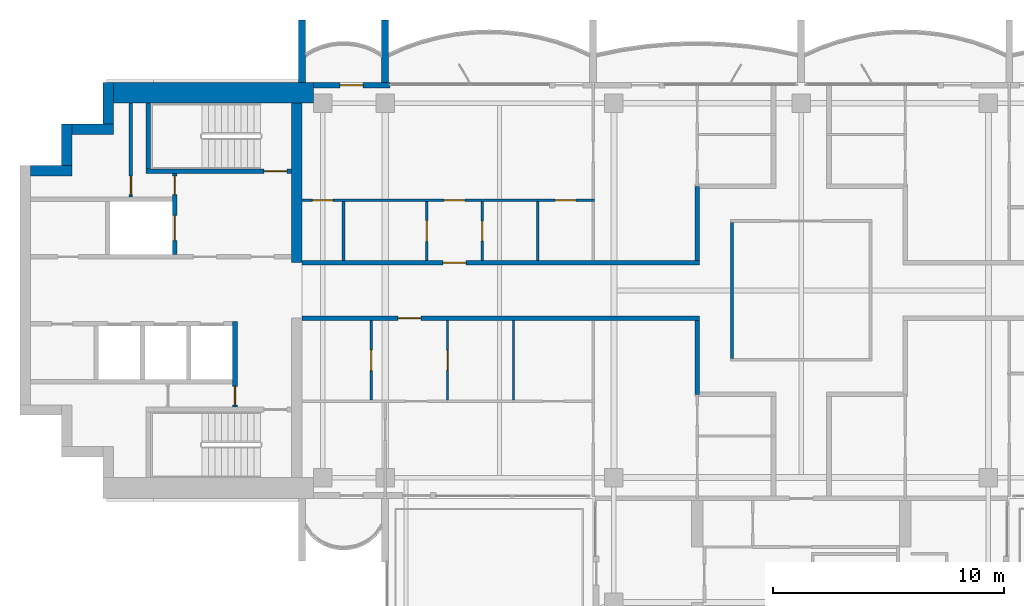
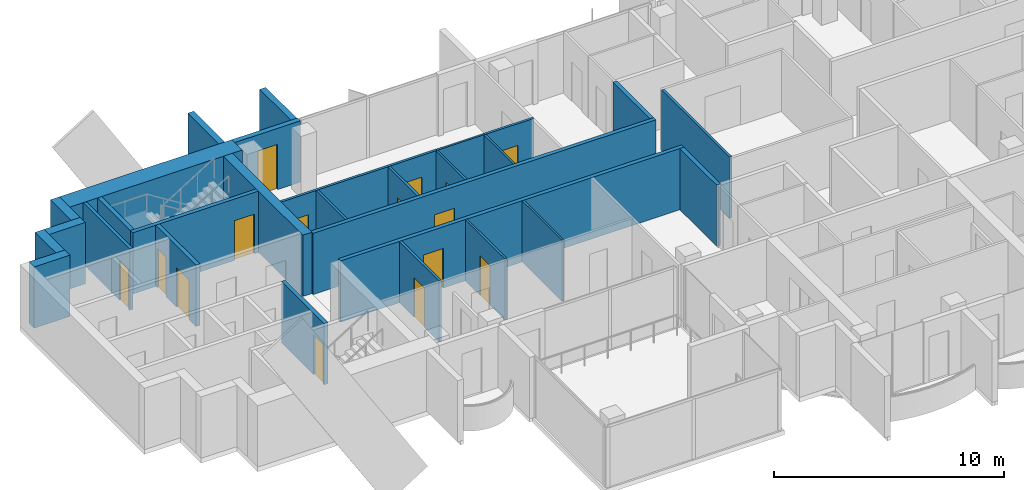
# One storey, part 8 of 16: 29 walls, 15 doors, 15 openings.
"""IFC4 building model written with IfcOpenShell, lengths in metres."""

from ifc_helpers import new_model, si_unit, direction, frame, frame_2d, origin, place, context, subcontext, project, spatial, rectangle, extrude, material, layer, layer_set, type_object, element, fill, save


model = new_model("IFC4")

# Units and contexts
model_context = context("Model", 3, precision=1e-05, world=origin(), true_north=direction((0.0, 1.0)))
body_context = subcontext(model_context, "Body", "Model", "MODEL_VIEW")
ifc_project = project(units=[si_unit("LENGTHUNIT", "METRE"), si_unit("AREAUNIT", "SQUARE_METRE"), si_unit("VOLUMEUNIT", "CUBIC_METRE"), si_unit("PLANEANGLEUNIT", "RADIAN"), si_unit("MASSUNIT", "GRAM", prefix="KILO")], contexts=[model_context])

# Site, building, storey
site_placement = place(None, origin())
site = spatial("IfcSite", under=ifc_project, at=site_placement, CompositionType="ELEMENT")
building_placement = place(site_placement, origin())
building = spatial("IfcBuilding", under=site, at=building_placement, Name="Perihelion Cross Residences", CompositionType="ELEMENT")
storey_placement = place(building_placement, frame((0.0, 0.0, 260.5)))
storey = spatial("IfcBuildingStorey", under=building, at=storey_placement, Name="L66", CompositionType="ELEMENT", Elevation=260.5)

# Wall, opening, door
ifc_material_1 = material(Name="Plasterboard partition")
ifc_layer_1 = layer(ifc_material_1, 0.199951171875)
ifc_layer_set_1 = layer_set([ifc_layer_1], Name="Apartment separation wall 200")
wall_type_1 = type_object("IfcWallType", Name="Apartment separation wall 200", PredefinedType="PARTITIONING", material=ifc_layer_set_1)
wall_1_placement = place(storey_placement, frame((-21.60009765625, 1.199951171875, 0.0), z_axis=(0.0, 0.0, 1.0), x_axis=(1.0, 0.0, 0.0)))
wall_1 = element("IfcWall", 1, at=wall_1_placement, inside=storey, type_object=wall_type_1, Name="Partition L66 W013", PredefinedType="PARTITIONING", context=body_context, shape_type="SweptSolid", body=[
    extrude(rectangle(XDim=17.2001953125, YDim=0.199951171875, at=frame_2d((8.60009765625, 0.0))), origin(), (0.0, 0.0, 1.0), 3.25),
])
opening_1_placement = place(wall_1_placement, frame((6.10009765625, 0.0, 0.0)))
opening_1 = element("IfcOpeningElement", 2, at=opening_1_placement, cuts=wall_1, Name="Opening L66.A42", PredefinedType="OPENING", context=body_context, shape_type="SweptSolid", body=[
    extrude(rectangle(XDim=1.0, YDim=2.10009765625, at=frame_2d((0.5, 1.050048828125))), frame((0.0, 0.10986328125, 0.0), z_axis=(0.0, -1.0, 0.0), x_axis=(1.0, 0.0, 0.0)), (0.0, 0.0, 1.0), 0.219970703125),
])
ifc_material_2 = material(Name="Timber door leaf", Category="wood")
door_type_1 = type_object("IfcDoorType", Name="Flat entrance door 1000 x 2100", OperationType="SINGLE_SWING_LEFT", PredefinedType="DOOR", material=ifc_material_2)
door_1_placement = place(opening_1_placement, origin())
door_1 = element("IfcDoor", 3, at=door_1_placement, inside=storey, type_object=door_type_1, Name="Door L66.A42", OperationType="SINGLE_SWING_RIGHT", OverallHeight=2.10009765625, OverallWidth=1.0, PredefinedType="DOOR", context=body_context, shape_type="SweptSolid", body=[
    extrude(rectangle(XDim=1.0, YDim=2.10009765625, at=frame_2d((0.5, 1.050048828125))), frame((0.0, 0.02490234375, 0.0), z_axis=(0.0, -1.0, 0.0), x_axis=(1.0, 0.0, 0.0)), (0.0, 0.0, 1.0), 0.050048828125),
])
fill(opening_1, door_1)

# Wall
wall_2_placement = place(storey_placement, frame((-4.5, 1.300048828125, 0.0), z_axis=(0.0, 0.0, 1.0), x_axis=(0.0, 1.0, 0.0)))
element("IfcWall", 4, at=wall_2_placement, inside=storey, type_object=wall_type_1, Name="Partition L66 W014", PredefinedType="PARTITIONING", context=body_context, shape_type="SweptSolid", body=[
    extrude(rectangle(XDim=3.199951171875, YDim=0.199951171875, at=frame_2d((1.60009765625, 0.0))), origin(), (0.0, 0.0, 1.0), 3.25),
])

# Wall, opening, door
wall_3_placement = place(storey_placement, frame((-4.39990234375, -1.199951171875, 0.0), z_axis=(0.0, 0.0, 1.0), x_axis=(-1.0, 0.0, 0.0)))
wall_3 = element("IfcWall", 5, at=wall_3_placement, inside=storey, type_object=wall_type_1, Name="Partition L66 W017", PredefinedType="PARTITIONING", context=body_context, shape_type="SweptSolid", body=[
    extrude(rectangle(XDim=17.2001953125, YDim=0.199951171875, at=frame_2d((8.60009765625, 0.0))), origin(), (0.0, 0.0, 1.0), 3.25),
])
opening_2_placement = place(wall_3_placement, frame((12.050048828125, 0.0, 0.0)))
opening_2 = element("IfcOpeningElement", 6, at=opening_2_placement, cuts=wall_3, Name="Opening L66.A43", PredefinedType="OPENING", context=body_context, shape_type="SweptSolid", body=[
    extrude(rectangle(XDim=1.0, YDim=2.10009765625, at=frame_2d((0.5, 1.050048828125))), frame((0.0, 0.10986328125, 0.0), z_axis=(0.0, -1.0, 0.0), x_axis=(1.0, 0.0, 0.0)), (0.0, 0.0, 1.0), 0.219970703125),
])
door_2_placement = place(opening_2_placement, origin())
door_2 = element("IfcDoor", 7, at=door_2_placement, inside=storey, type_object=door_type_1, Name="Door L66.A43", OperationType="SINGLE_SWING_RIGHT", OverallHeight=2.10009765625, OverallWidth=1.0, PredefinedType="DOOR", context=body_context, shape_type="SweptSolid", body=[
    extrude(rectangle(XDim=1.0, YDim=2.10009765625, at=frame_2d((0.5, 1.050048828125))), frame((0.0, 0.02490234375, 0.0), z_axis=(0.0, -1.0, 0.0), x_axis=(1.0, 0.0, 0.0)), (0.0, 0.0, 1.0), 0.050048828125),
])
fill(opening_2, door_2)

# Wall
wall_4_placement = place(storey_placement, frame((-4.5, -4.5, 0.0), z_axis=(0.0, 0.0, 1.0), x_axis=(0.0, 1.0, 0.0)))
element("IfcWall", 8, at=wall_4_placement, inside=storey, type_object=wall_type_1, Name="Partition L66 W018", PredefinedType="PARTITIONING", context=body_context, shape_type="SweptSolid", body=[
    extrude(rectangle(XDim=3.199951171875, YDim=0.199951171875, at=frame_2d((1.60009765625, 0.0))), origin(), (0.0, 0.0, 1.0), 3.25),
])

# Wall, opening, door
ifc_material_3 = material(Name="Concrete C30/37, bronze-clad", Category="concrete")
ifc_layer_2 = layer(ifc_material_3, 0.25)
ifc_layer_set_2 = layer_set([ifc_layer_2], Name="Bronze-clad pier wall 250")
wall_type_2 = type_object("IfcWallType", Name="Bronze-clad pier wall 250", PredefinedType="SOLIDWALL", material=ifc_layer_set_2)
wall_5_placement = place(storey_placement, frame((-17.800048828125, 8.875, 0.0), z_axis=(0.0, 0.0, 1.0), x_axis=(-1.0, 0.0, 0.0)))
wall_5 = element("IfcWall", 9, at=wall_5_placement, inside=storey, type_object=wall_type_2, Name="Wall FW1 L66 west side north bay 2 pier", PredefinedType="SOLIDWALL", context=body_context, shape_type="SweptSolid", body=[
    extrude(rectangle(XDim=3.300048828125, YDim=0.25, at=frame_2d((1.64990234375, 0.0))), origin(), (0.0, 0.0, 1.0), 3.25),
])
opening_3_placement = place(wall_5_placement, frame((1.14990234375, 0.0, 0.0)))
opening_3 = element("IfcOpeningElement", 10, at=opening_3_placement, cuts=wall_5, Name="Opening L66.E06", PredefinedType="OPENING", context=body_context, shape_type="SweptSolid", body=[
    extrude(rectangle(XDim=1.0, YDim=2.39990234375, at=frame_2d((0.5, 1.199951171875))), frame((0.0, 0.135009765625, 0.0), z_axis=(0.0, -1.0, 0.0), x_axis=(1.0, 0.0, 0.0)), (0.0, 0.0, 1.0), 0.27001953125),
])
ifc_material_4 = material(Name="Bronze anodised aluminium, glazed", Category="aluminium")
door_type_2 = type_object("IfcDoorType", Name="Balcony door 1000 x 2400", OperationType="NOTDEFINED", PredefinedType="DOOR", material=ifc_material_4)
door_3_placement = place(opening_3_placement, origin())
door_3 = element("IfcDoor", 11, at=door_3_placement, inside=storey, type_object=door_type_2, Name="Door L66.E06 west side north bay 2", OperationType="SINGLE_SWING_RIGHT", OverallHeight=2.39990234375, OverallWidth=1.0, PredefinedType="DOOR", context=body_context, shape_type="SweptSolid", body=[
    extrude(rectangle(XDim=1.0, YDim=2.39990234375, at=frame_2d((0.5, 1.199951171875))), frame((0.0, 0.02490234375, 0.0), z_axis=(0.0, -1.0, 0.0), x_axis=(1.0, 0.0, 0.0)), (0.0, 0.0, 1.0), 0.050048828125),
])
fill(opening_3, door_3)

# Walls
ifc_material_5 = material(Name="Concrete C60/75", Category="concrete")
ifc_layer_3 = layer(ifc_material_5, 0.449951171875)
ifc_layer_set_3 = layer_set([ifc_layer_3], Name="Core wall, inner 450")
wall_type_3 = type_object("IfcWallType", Name="Core wall, inner 450", PredefinedType="SHEAR", material=ifc_layer_set_3)
wall_6_placement = place(storey_placement, frame((-21.824951171875, 1.199951171875, 0.0), z_axis=(0.0, 0.0, 1.0), x_axis=(0.0, 1.0, 0.0)))
element("IfcWall", 12, at=wall_6_placement, inside=storey, type_object=wall_type_3, Name="West core core wall, inner", PredefinedType="SHEAR", context=body_context, shape_type="SweptSolid", body=[
    extrude(rectangle(XDim=6.900146484375, YDim=0.449951171875, at=frame_2d((3.4501953125, 0.0))), origin(), (0.0, 0.0, 1.0), 3.25),
])
ifc_material_6 = material(Name="Concrete C60/75", Category="concrete")
ifc_layer_4 = layer(ifc_material_6, 0.449951171875)
ifc_layer_set_4 = layer_set([ifc_layer_4], Name="Core wall, outer 450")
wall_type_4 = type_object("IfcWallType", Name="Core wall, outer 450", PredefinedType="SHEAR", material=ifc_layer_set_4)
for number, where, z_axis, x_axis, name in (
    (13, (-33.35009765625, 5.175048828125, 0.0), (0.0, 0.0, 1.0), (1.0, 0.0, 0.0), "West core core wall, outer"),
    (14, (-31.77490234375, 5.39990234375, 0.0), (0.0, 0.0, 1.0), (0.0, 1.0, 0.0), "West core core wall, outer"),
    (15, (-31.550048828125, 6.97509765625, 0.0), (0.0, 0.0, 1.0), (1.0, 0.0, 0.0), "West core core wall, outer"),
    (16, (-29.97509765625, 7.199951171875, 0.0), (0.0, 0.0, 1.0), (0.0, 1.0, 0.0), "West core core wall, outer"),
):
    element("IfcWall", number, at=place(storey_placement, frame(where, z_axis=z_axis, x_axis=x_axis)), inside=storey, type_object=wall_type_4, Name=name, PredefinedType="SHEAR", context=body_context, shape_type="SweptSolid", body=[
        extrude(rectangle(XDim=1.800048828125, YDim=0.449951171875, at=frame_2d((0.89990234375, 0.0))), origin(), (0.0, 0.0, 1.0), 3.25),
    ])
ifc_material_7 = material(Name="Concrete C60/75", Category="concrete")
ifc_layer_5 = layer(ifc_material_7, 0.89990234375)
ifc_layer_set_5 = layer_set([ifc_layer_5], Name="Core wall, outer 900")
wall_type_5 = type_object("IfcWallType", Name="Core wall, outer 900", PredefinedType="SHEAR", material=ifc_layer_set_5)
wall_7_placement = place(storey_placement, frame((-29.75, 8.550048828125, 0.0), z_axis=(0.0, 0.0, 1.0), x_axis=(1.0, 0.0, 0.0)))
element("IfcWall", 17, at=wall_7_placement, inside=storey, type_object=wall_type_5, Name="West core core wall, outer", PredefinedType="SHEAR", context=body_context, shape_type="SweptSolid", body=[
    extrude(rectangle(XDim=8.64990234375, YDim=0.89990234375, at=frame_2d((4.324951171875, 0.0))), origin(), (0.0, 0.0, 1.0), 3.25),
])

# Wall, opening, door
ifc_material_8 = material(Name="Concrete C50/60", Category="concrete")
ifc_layer_6 = layer(ifc_material_8, 0.199951171875)
ifc_layer_set_6 = layer_set([ifc_layer_6], Name="Lobby wall 200")
wall_type_6 = type_object("IfcWallType", Name="Lobby wall 200", PredefinedType="SOLIDWALL", material=ifc_layer_set_6)
wall_8_placement = place(storey_placement, frame((-24.5, -5.050048828125, 0.0), z_axis=(0.0, 0.0, 1.0), x_axis=(0.0, 1.0, 0.0)))
wall_8 = element("IfcWall", 18, at=wall_8_placement, inside=storey, type_object=wall_type_6, Name="West core lobby wall", PredefinedType="SOLIDWALL", context=body_context, shape_type="SweptSolid", body=[
    extrude(rectangle(XDim=3.699951171875, YDim=0.199951171875, at=frame_2d((1.85009765625, 0.0))), origin(), (0.0, 0.0, 1.0), 3.25),
])
opening_4_placement = place(wall_8_placement, frame((0.10009765625, 0.0, 0.0)))
opening_4 = element("IfcOpeningElement", 19, at=opening_4_placement, cuts=wall_8, Name="Opening L66.C22", PredefinedType="OPENING", context=body_context, shape_type="SweptSolid", body=[
    extrude(rectangle(XDim=0.800048828125, YDim=2.10009765625, at=frame_2d((0.39990234375, 1.050048828125))), frame((0.0, 0.10986328125, 0.0), z_axis=(0.0, -1.0, 0.0), x_axis=(1.0, 0.0, 0.0)), (0.0, 0.0, 1.0), 0.219970703125),
])
ifc_material_9 = material(Name="Steel, powder coated", Category="steel")
door_type_3 = type_object("IfcDoorType", Name="Riser door 800", OperationType="SINGLE_SWING_LEFT", PredefinedType="DOOR", material=ifc_material_9)
door_4_placement = place(opening_4_placement, origin())
door_4 = element("IfcDoor", 20, at=door_4_placement, inside=storey, type_object=door_type_3, Name="West core riser door", OperationType="SINGLE_SWING_LEFT", OverallHeight=2.10009765625, OverallWidth=0.800048828125, PredefinedType="DOOR", context=body_context, shape_type="SweptSolid", body=[
    extrude(rectangle(XDim=0.800048828125, YDim=2.10009765625, at=frame_2d((0.39990234375, 1.050048828125))), frame((0.0, 0.02490234375, 0.0), z_axis=(0.0, -1.0, 0.0), x_axis=(1.0, 0.0, 0.0)), (0.0, 0.0, 1.0), 0.050048828125),
])
fill(opening_4, door_4)

# Wall
ifc_material_10 = material(Name="Plasterboard partition")
ifc_layer_7 = layer(ifc_material_10, 0.1201171875)
ifc_layer_set_7 = layer_set([ifc_layer_7], Name="Partition wall 120")
wall_type_7 = type_object("IfcWallType", Name="Partition wall 120", PredefinedType="PARTITIONING", material=ifc_layer_set_7)
wall_9_placement = place(storey_placement, frame((-3.0, 2.93994140625, 0.0), z_axis=(0.0, 0.0, 1.0), x_axis=(0.0, -1.0, 0.0)))
element("IfcWall", 21, at=wall_9_placement, inside=storey, type_object=wall_type_7, Name="Partition L66 W004", PredefinedType="PARTITIONING", context=body_context, shape_type="SweptSolid", body=[
    extrude(rectangle(XDim=5.8798828125, YDim=0.1201171875, at=frame_2d((2.93994140625, 0.0))), origin(), (0.0, 0.0, 1.0), 3.25),
])

# Wall, opening, door
wall_10_placement = place(storey_placement, frame((-11.39990234375, 3.89990234375, 0.0), z_axis=(0.0, 0.0, 1.0), x_axis=(1.0, 0.0, 0.0)))
wall_10 = element("IfcWall", 22, at=wall_10_placement, inside=storey, type_object=wall_type_7, Name="Partition L66 W044", PredefinedType="PARTITIONING", context=body_context, shape_type="SweptSolid", body=[
    extrude(rectangle(XDim=2.4599609375, YDim=0.1201171875, at=frame_2d((1.22998046875, 0.0))), origin(), (0.0, 0.0, 1.0), 3.25),
])
opening_5_placement = place(wall_10_placement, frame((0.75, 0.0, 0.0)))
opening_5 = element("IfcOpeningElement", 23, at=opening_5_placement, cuts=wall_10, Name="Opening L66.A25", PredefinedType="OPENING", context=body_context, shape_type="SweptSolid", body=[
    extrude(rectangle(XDim=0.89990234375, YDim=2.10009765625, at=frame_2d((0.449951171875, 1.050048828125))), frame((0.0, 0.070068359375, 0.0), z_axis=(0.0, -1.0, 0.0), x_axis=(1.0, 0.0, 0.0)), (0.0, 0.0, 1.0), 0.14013671875),
])
ifc_material_11 = material(Name="Timber door leaf", Category="wood")
door_type_4 = type_object("IfcDoorType", Name="Interior room door 900 x 2100", OperationType="SINGLE_SWING_LEFT", PredefinedType="DOOR", material=ifc_material_11)
door_5_placement = place(opening_5_placement, origin())
door_5 = element("IfcDoor", 24, at=door_5_placement, inside=storey, type_object=door_type_4, Name="Door L66.A25", OperationType="SINGLE_SWING_RIGHT", OverallHeight=2.10009765625, OverallWidth=0.89990234375, PredefinedType="DOOR", context=body_context, shape_type="SweptSolid", body=[
    extrude(rectangle(XDim=0.89990234375, YDim=2.10009765625, at=frame_2d((0.449951171875, 1.050048828125))), frame((0.0, 0.02490234375, 0.0), z_axis=(0.0, -1.0, 0.0), x_axis=(1.0, 0.0, 0.0)), (0.0, 0.0, 1.0), 0.050048828125),
])
fill(opening_5, door_5)

wall_11_placement = place(storey_placement, frame((-16.199951171875, 1.300048828125, 0.0), z_axis=(0.0, 0.0, 1.0), x_axis=(0.0, 1.0, 0.0)))
wall_11 = element("IfcWall", 25, at=wall_11_placement, inside=storey, type_object=wall_type_7, Name="Partition L66 W048", PredefinedType="PARTITIONING", context=body_context, shape_type="SweptSolid", body=[
    extrude(rectangle(XDim=2.5400390625, YDim=0.1201171875, at=frame_2d((1.27001953125, 0.0))), origin(), (0.0, 0.0, 1.0), 3.25),
])
opening_6_placement = place(wall_11_placement, frame((0.820068359375, 0.0, 0.0)))
opening_6 = element("IfcOpeningElement", 26, at=opening_6_placement, cuts=wall_11, Name="Opening L66.A21", PredefinedType="OPENING", context=body_context, shape_type="SweptSolid", body=[
    extrude(rectangle(XDim=0.89990234375, YDim=2.10009765625, at=frame_2d((0.449951171875, 1.050048828125))), frame((0.0, 0.070068359375, 0.0), z_axis=(0.0, -1.0, 0.0), x_axis=(1.0, 0.0, 0.0)), (0.0, 0.0, 1.0), 0.14013671875),
])
door_6_placement = place(opening_6_placement, origin())
door_6 = element("IfcDoor", 27, at=door_6_placement, inside=storey, type_object=door_type_4, Name="Door L66.A21", OperationType="SINGLE_SWING_RIGHT", OverallHeight=2.10009765625, OverallWidth=0.89990234375, PredefinedType="DOOR", context=body_context, shape_type="SweptSolid", body=[
    extrude(rectangle(XDim=0.89990234375, YDim=2.10009765625, at=frame_2d((0.449951171875, 1.050048828125))), frame((0.0, 0.02490234375, 0.0), z_axis=(0.0, -1.0, 0.0), x_axis=(1.0, 0.0, 0.0)), (0.0, 0.0, 1.0), 0.050048828125),
])
fill(opening_6, door_6)

# Wall, openings, doors
wall_12_placement = place(storey_placement, frame((-21.60009765625, 3.89990234375, 0.0), z_axis=(0.0, 0.0, 1.0), x_axis=(1.0, 0.0, 0.0)))
wall_12 = element("IfcWall", 28, at=wall_12_placement, inside=storey, type_object=wall_type_7, Name="Partition L66 W049", PredefinedType="PARTITIONING", context=body_context, shape_type="SweptSolid", body=[
    extrude(rectangle(XDim=7.800048828125, YDim=0.1201171875, at=frame_2d((3.89990234375, 0.0))), origin(), (0.0, 0.0, 1.0), 3.25),
])
opening_7_placement = place(wall_12_placement, frame((0.449951171875, 0.0, 0.0)))
opening_7 = element("IfcOpeningElement", 29, at=opening_7_placement, cuts=wall_12, Name="Opening L66.A22", PredefinedType="OPENING", context=body_context, shape_type="SweptSolid", body=[
    extrude(rectangle(XDim=0.89990234375, YDim=2.10009765625, at=frame_2d((0.449951171875, 1.050048828125))), frame((0.0, 0.070068359375, 0.0), z_axis=(0.0, -1.0, 0.0), x_axis=(1.0, 0.0, 0.0)), (0.0, 0.0, 1.0), 0.14013671875),
])
opening_8_placement = place(wall_12_placement, frame((6.14990234375, 0.0, 0.0)))
opening_8 = element("IfcOpeningElement", 30, at=opening_8_placement, cuts=wall_12, Name="Opening L66.A24", PredefinedType="OPENING", context=body_context, shape_type="SweptSolid", body=[
    extrude(rectangle(XDim=0.89990234375, YDim=2.10009765625, at=frame_2d((0.449951171875, 1.050048828125))), frame((0.0, 0.070068359375, 0.0), z_axis=(0.0, -1.0, 0.0), x_axis=(1.0, 0.0, 0.0)), (0.0, 0.0, 1.0), 0.14013671875),
])
door_7_placement = place(opening_7_placement, origin())
door_7 = element("IfcDoor", 31, at=door_7_placement, inside=storey, type_object=door_type_4, Name="Door L66.A22", OperationType="SINGLE_SWING_LEFT", OverallHeight=2.10009765625, OverallWidth=0.89990234375, PredefinedType="DOOR", context=body_context, shape_type="SweptSolid", body=[
    extrude(rectangle(XDim=0.89990234375, YDim=2.10009765625, at=frame_2d((0.449951171875, 1.050048828125))), frame((0.0, 0.02490234375, 0.0), z_axis=(0.0, -1.0, 0.0), x_axis=(1.0, 0.0, 0.0)), (0.0, 0.0, 1.0), 0.050048828125),
])
fill(opening_7, door_7)
door_8_placement = place(opening_8_placement, origin())
door_8 = element("IfcDoor", 32, at=door_8_placement, inside=storey, type_object=door_type_4, Name="Door L66.A24", OperationType="SINGLE_SWING_LEFT", OverallHeight=2.10009765625, OverallWidth=0.89990234375, PredefinedType="DOOR", context=body_context, shape_type="SweptSolid", body=[
    extrude(rectangle(XDim=0.89990234375, YDim=2.10009765625, at=frame_2d((0.449951171875, 1.050048828125))), frame((0.0, 0.02490234375, 0.0), z_axis=(0.0, -1.0, 0.0), x_axis=(1.0, 0.0, 0.0)), (0.0, 0.0, 1.0), 0.050048828125),
])
fill(opening_8, door_8)

# Wall
wall_13_placement = place(storey_placement, frame((-19.800048828125, 1.300048828125, 0.0), z_axis=(0.0, 0.0, 1.0), x_axis=(0.0, 1.0, 0.0)))
element("IfcWall", 33, at=wall_13_placement, inside=storey, type_object=wall_type_7, Name="Partition L66 W050", PredefinedType="PARTITIONING", context=body_context, shape_type="SweptSolid", body=[
    extrude(rectangle(XDim=2.5400390625, YDim=0.1201171875, at=frame_2d((1.27001953125, 0.0))), origin(), (0.0, 0.0, 1.0), 3.25),
])

# Wall, opening, door
wall_14_placement = place(storey_placement, frame((-18.60009765625, -4.739990234375, 0.0), z_axis=(0.0, 0.0, 1.0), x_axis=(0.0, 1.0, 0.0)))
wall_14 = element("IfcWall", 34, at=wall_14_placement, inside=storey, type_object=wall_type_7, Name="Partition L66 W059", PredefinedType="PARTITIONING", context=body_context, shape_type="SweptSolid", body=[
    extrude(rectangle(XDim=3.43994140625, YDim=0.1201171875, at=frame_2d((1.719970703125, 0.0))), origin(), (0.0, 0.0, 1.0), 3.25),
])
opening_9_placement = place(wall_14_placement, frame((1.27001953125, 0.0, 0.0)))
opening_9 = element("IfcOpeningElement", 35, at=opening_9_placement, cuts=wall_14, Name="Opening L66.A28", PredefinedType="OPENING", context=body_context, shape_type="SweptSolid", body=[
    extrude(rectangle(XDim=0.89990234375, YDim=2.10009765625, at=frame_2d((0.449951171875, 1.050048828125))), frame((0.0, 0.070068359375, 0.0), z_axis=(0.0, -1.0, 0.0), x_axis=(1.0, 0.0, 0.0)), (0.0, 0.0, 1.0), 0.14013671875),
])
door_9_placement = place(opening_9_placement, origin())
door_9 = element("IfcDoor", 36, at=door_9_placement, inside=storey, type_object=door_type_4, Name="Door L66.A28", OperationType="SINGLE_SWING_RIGHT", OverallHeight=2.10009765625, OverallWidth=0.89990234375, PredefinedType="DOOR", context=body_context, shape_type="SweptSolid", body=[
    extrude(rectangle(XDim=0.89990234375, YDim=2.10009765625, at=frame_2d((0.449951171875, 1.050048828125))), frame((0.0, 0.02490234375, 0.0), z_axis=(0.0, -1.0, 0.0), x_axis=(1.0, 0.0, 0.0)), (0.0, 0.0, 1.0), 0.050048828125),
])
fill(opening_9, door_9)

# Walls
ifc_material_12 = material(Name="Precast concrete C50/60", Category="concrete")
ifc_layer_8 = layer(ifc_material_12, 0.300048828125)
ifc_layer_set_8 = layer_set([ifc_layer_8], Name="Precast concrete C50/60 blade wall 300")
wall_type_8 = type_object("IfcWallType", Name="Precast concrete C50/60 blade wall 300", PredefinedType="SOLIDWALL", material=ifc_layer_set_8)
for number, where, z_axis, x_axis, name in (
    (37, (-21.60009765625, 9.0, 0.0), (0.0, 0.0, 1.0), (0.0, 1.0, 0.0), "Wall BL1 L66 no. 4"),
    (38, (-18.0, 9.0, 0.0), (0.0, 0.0, 1.0), (0.0, 1.0, 0.0), "Wall BL1 L66 no. 2"),
):
    element("IfcWall", number, at=place(storey_placement, frame(where, z_axis=z_axis, x_axis=x_axis)), inside=storey, type_object=wall_type_8, Name=name, PredefinedType="SOLIDWALL", context=body_context, shape_type="SweptSolid", body=[
        extrude(rectangle(XDim=2.699951171875, YDim=0.300048828125, at=frame_2d((1.35009765625, 0.0))), origin(), (0.0, 0.0, 1.0), 3.25),
    ])

# Wall, opening, door
ifc_material_13 = material(Name="Fire-rated board on steel stud", Category="steel")
ifc_layer_9 = layer(ifc_material_13, 0.14990234375)
ifc_layer_set_9 = layer_set([ifc_layer_9], Name="Riser wall 150")
wall_type_9 = type_object("IfcWallType", Name="Riser wall 150", PredefinedType="PARTITIONING", material=ifc_layer_set_9)
wall_15_placement = place(storey_placement, frame((-29.0, 4.050048828125, 0.0), z_axis=(0.0, 0.0, 1.0), x_axis=(0.0, 1.0, 0.0)))
wall_15 = element("IfcWall", 39, at=wall_15_placement, inside=storey, type_object=wall_type_9, Name="West core riser wall", PredefinedType="PARTITIONING", context=body_context, shape_type="SweptSolid", body=[
    extrude(rectangle(XDim=4.050048828125, YDim=0.14990234375, at=frame_2d((2.02490234375, 0.0))), origin(), (0.0, 0.0, 1.0), 3.25),
])
opening_10_placement = place(wall_15_placement, frame((0.10009765625, 0.0, 0.0)))
opening_10 = element("IfcOpeningElement", 40, at=opening_10_placement, cuts=wall_15, Name="Opening L66.C26", PredefinedType="OPENING", context=body_context, shape_type="SweptSolid", body=[
    extrude(rectangle(XDim=0.800048828125, YDim=2.10009765625, at=frame_2d((0.39990234375, 1.050048828125))), frame((0.0, 0.0849609375, 0.0), z_axis=(0.0, -1.0, 0.0), x_axis=(1.0, 0.0, 0.0)), (0.0, 0.0, 1.0), 0.169921875),
])
door_10_placement = place(opening_10_placement, origin())
door_10 = element("IfcDoor", 41, at=door_10_placement, inside=storey, type_object=door_type_3, Name="West core riser door", OperationType="SINGLE_SWING_LEFT", OverallHeight=2.10009765625, OverallWidth=0.800048828125, PredefinedType="DOOR", context=body_context, shape_type="SweptSolid", body=[
    extrude(rectangle(XDim=0.800048828125, YDim=2.10009765625, at=frame_2d((0.39990234375, 1.050048828125))), frame((0.0, 0.02490234375, 0.0), z_axis=(0.0, -1.0, 0.0), x_axis=(1.0, 0.0, 0.0)), (0.0, 0.0, 1.0), 0.050048828125),
])
fill(opening_10, door_10)

# Wall, openings, doors
ifc_material_14 = material(Name="Concrete C50/60", Category="concrete")
ifc_layer_10 = layer(ifc_material_14, 0.199951171875)
ifc_layer_set_10 = layer_set([ifc_layer_10], Name="Shaft wall 200")
wall_type_10 = type_object("IfcWallType", Name="Shaft wall 200", PredefinedType="SOLIDWALL", material=ifc_layer_set_10)
wall_16_placement = place(storey_placement, frame((-27.10009765625, 1.550048828125, 0.0), z_axis=(0.0, 0.0, 1.0), x_axis=(0.0, 1.0, 0.0)))
wall_16 = element("IfcWall", 42, at=wall_16_placement, inside=storey, type_object=wall_type_10, Name="West core shaft wall", PredefinedType="SOLIDWALL", context=body_context, shape_type="SweptSolid", body=[
    extrude(rectangle(XDim=3.5, YDim=0.199951171875, at=frame_2d((1.75, 0.0))), origin(), (0.0, 0.0, 1.0), 3.25),
])
opening_11_placement = place(wall_16_placement, frame((0.60009765625, 0.0, 0.0)))
opening_11 = element("IfcOpeningElement", 43, at=opening_11_placement, cuts=wall_16, Name="Opening L66.C16", PredefinedType="OPENING", context=body_context, shape_type="SweptSolid", body=[
    extrude(rectangle(XDim=1.10009765625, YDim=2.10009765625, at=frame_2d((0.550048828125, 1.050048828125))), frame((0.0, 0.10986328125, 0.0), z_axis=(0.0, -1.0, 0.0), x_axis=(1.0, 0.0, 0.0)), (0.0, 0.0, 1.0), 0.219970703125),
])
opening_12_placement = place(wall_16_placement, frame((2.60009765625, 0.0, 0.0)))
opening_12 = element("IfcOpeningElement", 44, at=opening_12_placement, cuts=wall_16, Name="Opening L66.C24", PredefinedType="OPENING", context=body_context, shape_type="SweptSolid", body=[
    extrude(rectangle(XDim=0.800048828125, YDim=2.10009765625, at=frame_2d((0.39990234375, 1.050048828125))), frame((0.0, 0.10986328125, 0.0), z_axis=(0.0, -1.0, 0.0), x_axis=(1.0, 0.0, 0.0)), (0.0, 0.0, 1.0), 0.219970703125),
])
ifc_material_15 = material(Name="Stainless steel", Category="steel")
door_type_5 = type_object("IfcDoorType", Name="Landing door, firefighting lift 1100", OperationType="DOUBLE_DOOR_SLIDING", PredefinedType="DOOR", material=ifc_material_15)
door_11_placement = place(opening_11_placement, origin())
door_11 = element("IfcDoor", 45, at=door_11_placement, inside=storey, type_object=door_type_5, Name="Landing door, West core firefighting and service lift", OperationType="DOUBLE_DOOR_SLIDING", OverallHeight=2.10009765625, OverallWidth=1.10009765625, PredefinedType="DOOR", context=body_context, shape_type="SweptSolid", body=[
    extrude(rectangle(XDim=1.10009765625, YDim=2.10009765625, at=frame_2d((0.550048828125, 1.050048828125))), frame((0.0, 0.02490234375, 0.0), z_axis=(0.0, -1.0, 0.0), x_axis=(1.0, 0.0, 0.0)), (0.0, 0.0, 1.0), 0.050048828125),
])
fill(opening_11, door_11)
door_12_placement = place(opening_12_placement, origin())
door_12 = element("IfcDoor", 46, at=door_12_placement, inside=storey, type_object=door_type_3, Name="West core riser door", OperationType="SINGLE_SWING_LEFT", OverallHeight=2.10009765625, OverallWidth=0.800048828125, PredefinedType="DOOR", context=body_context, shape_type="SweptSolid", body=[
    extrude(rectangle(XDim=0.800048828125, YDim=2.10009765625, at=frame_2d((0.39990234375, 1.050048828125))), frame((0.0, 0.02490234375, 0.0), z_axis=(0.0, -1.0, 0.0), x_axis=(1.0, 0.0, 0.0)), (0.0, 0.0, 1.0), 0.050048828125),
])
fill(opening_12, door_12)

# Wall, opening, door
ifc_material_16 = material(Name="Concrete C50/60", Category="concrete")
ifc_layer_11 = layer(ifc_material_16, 0.199951171875)
ifc_layer_set_11 = layer_set([ifc_layer_11], Name="Stair wall 200")
wall_type_11 = type_object("IfcWallType", Name="Stair wall 200", PredefinedType="SOLIDWALL", material=ifc_layer_set_11)
wall_17_placement = place(storey_placement, frame((-28.35009765625, 5.14990234375, 0.0), z_axis=(0.0, 0.0, 1.0), x_axis=(1.0, 0.0, 0.0)))
wall_17 = element("IfcWall", 47, at=wall_17_placement, inside=storey, type_object=wall_type_11, Name="West core stair wall", PredefinedType="SOLIDWALL", context=body_context, shape_type="SweptSolid", body=[
    extrude(rectangle(XDim=6.300048828125, YDim=0.199951171875, at=frame_2d((3.14990234375, 0.0))), origin(), (0.0, 0.0, 1.0), 3.25),
])
opening_13_placement = place(wall_17_placement, frame((5.10009765625, 0.0, 0.0)))
opening_13 = element("IfcOpeningElement", 48, at=opening_13_placement, cuts=wall_17, Name="Opening L66.C20", PredefinedType="OPENING", context=body_context, shape_type="SweptSolid", body=[
    extrude(rectangle(XDim=1.0, YDim=2.10009765625, at=frame_2d((0.5, 1.050048828125))), frame((0.0, 0.10986328125, 0.0), z_axis=(0.0, -1.0, 0.0), x_axis=(1.0, 0.0, 0.0)), (0.0, 0.0, 1.0), 0.219970703125),
])
ifc_material_17 = material(Name="Steel, powder coated", Category="steel")
door_type_6 = type_object("IfcDoorType", Name="Stair door 1000", OperationType="SINGLE_SWING_LEFT", PredefinedType="DOOR", material=ifc_material_17)
door_13_placement = place(opening_13_placement, origin())
door_13 = element("IfcDoor", 49, at=door_13_placement, inside=storey, type_object=door_type_6, Name="West core stair door", OperationType="SINGLE_SWING_LEFT", OverallHeight=2.10009765625, OverallWidth=1.0, PredefinedType="DOOR", context=body_context, shape_type="SweptSolid", body=[
    extrude(rectangle(XDim=1.0, YDim=2.10009765625, at=frame_2d((0.5, 1.050048828125))), frame((0.0, 0.02490234375, 0.0), z_axis=(0.0, -1.0, 0.0), x_axis=(1.0, 0.0, 0.0)), (0.0, 0.0, 1.0), 0.050048828125),
])
fill(opening_13, door_13)

# Walls
wall_18_placement = place(storey_placement, frame((-28.25, 5.25, 0.0), z_axis=(0.0, 0.0, 1.0), x_axis=(0.0, 1.0, 0.0)))
element("IfcWall", 50, at=wall_18_placement, inside=storey, type_object=wall_type_11, Name="West core stair wall", PredefinedType="SOLIDWALL", context=body_context, shape_type="SweptSolid", body=[
    extrude(rectangle(XDim=2.85009765625, YDim=0.199951171875, at=frame_2d((1.425048828125, 0.0))), origin(), (0.0, 0.0, 1.0), 3.25),
])
ifc_material_18 = material(Name="Plasterboard partition")
ifc_layer_12 = layer(ifc_material_18, 0.10009765625)
ifc_layer_set_12 = layer_set([ifc_layer_12], Name="Wet room wall 100")
wall_type_12 = type_object("IfcWallType", Name="Wet room wall 100", PredefinedType="PARTITIONING", material=ifc_layer_set_12)
wall_19_placement = place(storey_placement, frame((-11.39990234375, 1.300048828125, 0.0), z_axis=(0.0, 0.0, 1.0), x_axis=(0.0, 1.0, 0.0)))
element("IfcWall", 51, at=wall_19_placement, inside=storey, type_object=wall_type_12, Name="Partition L66 W043", PredefinedType="PARTITIONING", context=body_context, shape_type="SweptSolid", body=[
    extrude(rectangle(XDim=2.5400390625, YDim=0.10009765625, at=frame_2d((1.27001953125, 0.0))), origin(), (0.0, 0.0, 1.0), 3.25),
])

# Wall, opening, door
wall_20_placement = place(storey_placement, frame((-13.800048828125, 1.300048828125, 0.0), z_axis=(0.0, 0.0, 1.0), x_axis=(0.0, 1.0, 0.0)))
wall_20 = element("IfcWall", 52, at=wall_20_placement, inside=storey, type_object=wall_type_12, Name="Partition L66 W046", PredefinedType="PARTITIONING", context=body_context, shape_type="SweptSolid", body=[
    extrude(rectangle(XDim=2.5400390625, YDim=0.10009765625, at=frame_2d((1.27001953125, 0.0))), origin(), (0.0, 0.0, 1.0), 3.25),
])
opening_14_placement = place(wall_20_placement, frame((0.844970703125, 0.0, 0.0)))
opening_14 = element("IfcOpeningElement", 53, at=opening_14_placement, cuts=wall_20, Name="Opening L66.A18", PredefinedType="OPENING", context=body_context, shape_type="SweptSolid", body=[
    extrude(rectangle(XDim=0.85009765625, YDim=2.10009765625, at=frame_2d((0.425048828125, 1.050048828125))), frame((0.0, 0.06005859375, 0.0), z_axis=(0.0, -1.0, 0.0), x_axis=(1.0, 0.0, 0.0)), (0.0, 0.0, 1.0), 0.1201171875),
])
ifc_material_19 = material(Name="Timber door leaf", Category="wood")
door_type_7 = type_object("IfcDoorType", Name="Interior bathroom door 850 x 2100", OperationType="SINGLE_SWING_LEFT", PredefinedType="DOOR", material=ifc_material_19)
door_14_placement = place(opening_14_placement, origin())
door_14 = element("IfcDoor", 54, at=door_14_placement, inside=storey, type_object=door_type_7, Name="Door L66.A18", OperationType="SINGLE_SWING_LEFT", OverallHeight=2.10009765625, OverallWidth=0.85009765625, PredefinedType="DOOR", context=body_context, shape_type="SweptSolid", body=[
    extrude(rectangle(XDim=0.85009765625, YDim=2.10009765625, at=frame_2d((0.425048828125, 1.050048828125))), frame((0.0, 0.02490234375, 0.0), z_axis=(0.0, -1.0, 0.0), x_axis=(1.0, 0.0, 0.0)), (0.0, 0.0, 1.0), 0.050048828125),
])
fill(opening_14, door_14)

# Walls
wall_21_placement = place(storey_placement, frame((-13.800048828125, 3.89990234375, 0.0), z_axis=(0.0, 0.0, 1.0), x_axis=(1.0, 0.0, 0.0)))
element("IfcWall", 55, at=wall_21_placement, inside=storey, type_object=wall_type_12, Name="Partition L66 W047", PredefinedType="PARTITIONING", context=body_context, shape_type="SweptSolid", body=[
    extrude(rectangle(XDim=2.400146484375, YDim=0.10009765625, at=frame_2d((1.2001953125, 0.0))), origin(), (0.0, 0.0, 1.0), 3.25),
])
wall_22_placement = place(storey_placement, frame((-12.449951171875, -4.739990234375, 0.0), z_axis=(0.0, 0.0, 1.0), x_axis=(0.0, 1.0, 0.0)))
element("IfcWall", 56, at=wall_22_placement, inside=storey, type_object=wall_type_12, Name="Partition L66 W054", PredefinedType="PARTITIONING", context=body_context, shape_type="SweptSolid", body=[
    extrude(rectangle(XDim=3.43994140625, YDim=0.10009765625, at=frame_2d((1.719970703125, 0.0))), origin(), (0.0, 0.0, 1.0), 3.25),
])

# Wall, opening, door
wall_23_placement = place(storey_placement, frame((-15.300048828125, -4.739990234375, 0.0), z_axis=(0.0, 0.0, 1.0), x_axis=(0.0, 1.0, 0.0)))
wall_23 = element("IfcWall", 57, at=wall_23_placement, inside=storey, type_object=wall_type_12, Name="Partition L66 W057", PredefinedType="PARTITIONING", context=body_context, shape_type="SweptSolid", body=[
    extrude(rectangle(XDim=3.43994140625, YDim=0.10009765625, at=frame_2d((1.719970703125, 0.0))), origin(), (0.0, 0.0, 1.0), 3.25),
])
opening_15_placement = place(wall_23_placement, frame((1.294921875, 0.0, 0.0)))
opening_15 = element("IfcOpeningElement", 58, at=opening_15_placement, cuts=wall_23, Name="Opening L66.A26", PredefinedType="OPENING", context=body_context, shape_type="SweptSolid", body=[
    extrude(rectangle(XDim=0.85009765625, YDim=2.10009765625, at=frame_2d((0.425048828125, 1.050048828125))), frame((0.0, 0.06005859375, 0.0), z_axis=(0.0, -1.0, 0.0), x_axis=(1.0, 0.0, 0.0)), (0.0, 0.0, 1.0), 0.1201171875),
])
door_15_placement = place(opening_15_placement, origin())
door_15 = element("IfcDoor", 59, at=door_15_placement, inside=storey, type_object=door_type_7, Name="Door L66.A26", OperationType="SINGLE_SWING_RIGHT", OverallHeight=2.10009765625, OverallWidth=0.85009765625, PredefinedType="DOOR", context=body_context, shape_type="SweptSolid", body=[
    extrude(rectangle(XDim=0.85009765625, YDim=2.10009765625, at=frame_2d((0.425048828125, 1.050048828125))), frame((0.0, 0.02490234375, 0.0), z_axis=(0.0, -1.0, 0.0), x_axis=(1.0, 0.0, 0.0)), (0.0, 0.0, 1.0), 0.050048828125),
])
fill(opening_15, door_15)

save(model, "model.ifc")
